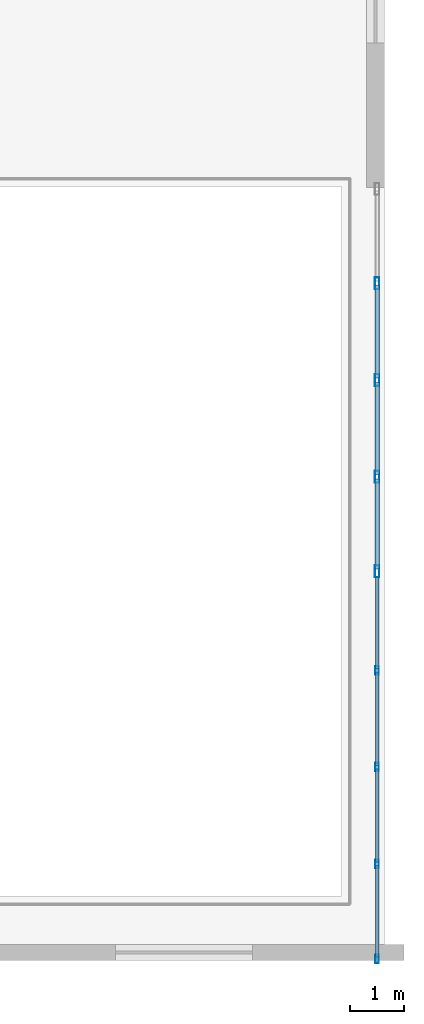
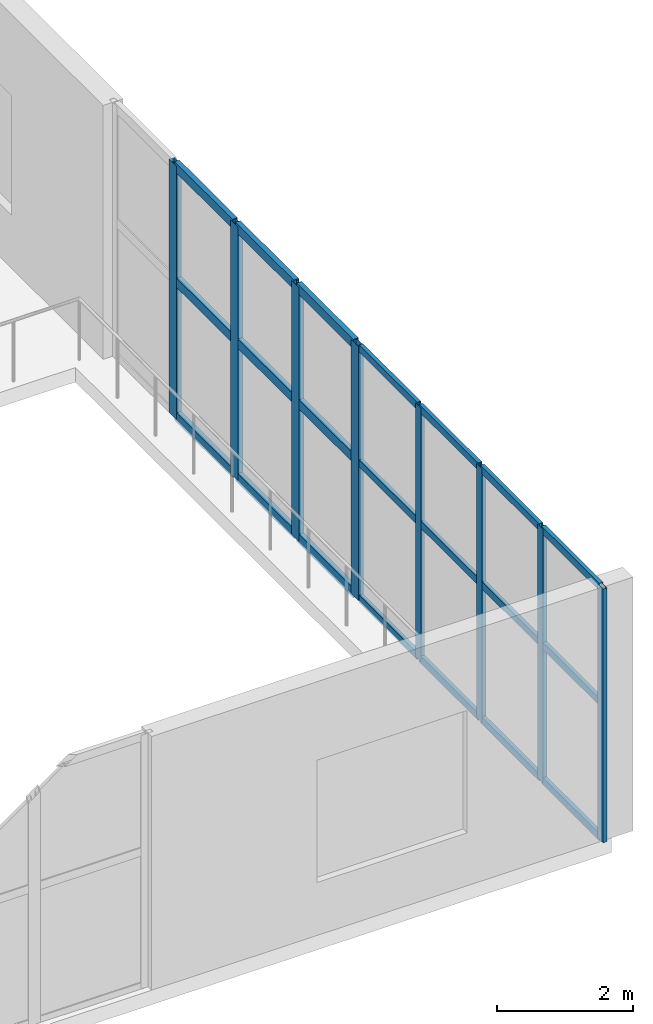
# One storey, part 39 of 72: 29 members, 2 elements without a shape of their own.
"""IFC4 building model written with IfcOpenShell, lengths in metres."""

from ifc_helpers import new_model, si_unit, direction, frame, origin, origin_2d, place, context, subcontext, project, spatial, hollow_rectangle, extrude, material, layer, layer_set, material_profile, profile_set, type_object, element, aggregate, save


model = new_model("IFC4")

# Units and contexts
model_context = context("Model", 3, precision=1e-05, world=origin(), true_north=direction((0.0, 1.0)))
body_context = subcontext(model_context, "Body", "Model", "MODEL_VIEW")
ifc_project = project(units=[si_unit("LENGTHUNIT", "METRE"), si_unit("AREAUNIT", "SQUARE_METRE"), si_unit("VOLUMEUNIT", "CUBIC_METRE"), si_unit("PLANEANGLEUNIT", "RADIAN"), si_unit("MASSUNIT", "GRAM", prefix="KILO")], contexts=[model_context])

# Site, building, storey
site_placement = place(None, origin())
site = spatial("IfcSite", under=ifc_project, at=site_placement, CompositionType="ELEMENT")
building_placement = place(site_placement, origin())
building = spatial("IfcBuilding", under=site, at=building_placement, Name="Xicomal Pleat Aquarium", CompositionType="ELEMENT")
storey_placement = place(building_placement, frame((0.0, 0.0, 10.5)))
storey = spatial("IfcBuildingStorey", under=building, at=storey_placement, Name="L03", CompositionType="ELEMENT", Elevation=10.5)

# Curtain wall, members
ifc_material_1 = material(Name="Bronze anodized aluminium 6063-T6", Category="aluminium")
ifc_layer = layer(ifc_material_1, 0.159912109375)
ifc_layer_set = layer_set([ifc_layer], Name="Bronze anodized aluminium 6063-T6")
curtain_wall_type = type_object("IfcCurtainWallType", Name="CW-SYS-03", PredefinedType="NOTDEFINED", material=ifc_layer_set)
curtain_wall_1_placement = place(storey_placement, origin())
curtain_wall_1 = element("IfcCurtainWall", 1, at=curtain_wall_1_placement, inside=storey, type_object=curtain_wall_type, Name="L03 unitised curtain wall CW-L03-144", PredefinedType="NOTDEFINED")
ifc_material_2 = material(Name="Bronze anodized aluminium 6063-T6", Category="aluminium")
ifc_material_profile_1 = material_profile(ifc_material_2, hollow_rectangle(XDim=0.06494140625, YDim=0.159912109375, WallThickness=0.00390625, at=origin_2d()), Name="ALU MULL 65x160")
ifc_profile_set_1 = profile_set([ifc_material_profile_1], Name="Bronze anodized aluminium 6063-T6")
member_type_1 = type_object("IfcMemberType", Name="CWM-65x160", PredefinedType="MULLION", material=ifc_profile_set_1)
member_1_placement = place(storey_placement, frame((164.860107421875, 6.199951171875, 0.0), z_axis=(0.0, 0.0, 1.0), x_axis=(1.0, 0.0, 0.0)))
member_1 = element("IfcMember", 2, at=member_1_placement, type_object=member_type_1, Name="CW-03 mullion 2", PredefinedType="MULLION", context=body_context, shape_type="SweptSolid", body=[
    extrude(hollow_rectangle(XDim=0.06494140625, YDim=0.159912109375, WallThickness=0.00390625, at=origin_2d()), origin(), (0.0, 0.0, 1.0), 4.56005859375),
])
member_2_placement = place(storey_placement, frame((164.860107421875, 4.39990234375, 0.0), z_axis=(0.0, 0.0, 1.0), x_axis=(1.0, 0.0, 0.0)))
member_2 = element("IfcMember", 3, at=member_2_placement, type_object=member_type_1, Name="CW-03 mullion 3", PredefinedType="MULLION", context=body_context, shape_type="SweptSolid", body=[
    extrude(hollow_rectangle(XDim=0.06494140625, YDim=0.159912109375, WallThickness=0.00390625, at=origin_2d()), origin(), (0.0, 0.0, 1.0), 4.56005859375),
])
member_3_placement = place(storey_placement, frame((164.860107421875, 2.60009765625, 0.0), z_axis=(0.0, 0.0, 1.0), x_axis=(1.0, 0.0, 0.0)))
member_3 = element("IfcMember", 4, at=member_3_placement, type_object=member_type_1, Name="CW-03 mullion 4", PredefinedType="MULLION", context=body_context, shape_type="SweptSolid", body=[
    extrude(hollow_rectangle(XDim=0.06494140625, YDim=0.159912109375, WallThickness=0.00390625, at=origin_2d()), origin(), (0.0, 0.0, 1.0), 4.56005859375),
])
member_4_placement = place(storey_placement, frame((164.860107421875, 0.83251953125, 0.0), z_axis=(0.0, 0.0, 1.0), x_axis=(1.0, 0.0, 0.0)))
member_4 = element("IfcMember", 5, at=member_4_placement, type_object=member_type_1, Name="CW-03 mullion 5", PredefinedType="MULLION", context=body_context, shape_type="SweptSolid", body=[
    extrude(hollow_rectangle(XDim=0.06494140625, YDim=0.159912109375, WallThickness=0.00390625, at=origin_2d()), origin(), (0.0, 0.0, 1.0), 4.56005859375),
])

curtain_wall_2_placement = place(storey_placement, origin())
curtain_wall_2 = element("IfcCurtainWall", 6, at=curtain_wall_2_placement, inside=storey, type_object=curtain_wall_type, Name="L03 unitised curtain wall CW-L03-143", PredefinedType="NOTDEFINED")
ifc_material_3 = material(Name="Bronze anodized aluminium 6063-T6", Category="aluminium")
ifc_material_profile_2 = material_profile(ifc_material_3, hollow_rectangle(XDim=0.0849609375, YDim=0.219970703125, WallThickness=0.0048828125, at=origin_2d()), Name="ALU MULL 85x220")
ifc_profile_set_2 = profile_set([ifc_material_profile_2], Name="Bronze anodized aluminium 6063-T6")
member_type_2 = type_object("IfcMemberType", Name="CWM-85x220", PredefinedType="MULLION", material=ifc_profile_set_2)
member_5_placement = place(storey_placement, frame((164.860107421875, 13.39990234375, 0.0), z_axis=(0.0, 0.0, 1.0), x_axis=(1.0, 0.0, 0.0)))
member_5 = element("IfcMember", 7, at=member_5_placement, type_object=member_type_2, Name="CW-03 mullion 2", PredefinedType="MULLION", context=body_context, shape_type="SweptSolid", body=[
    extrude(hollow_rectangle(XDim=0.0849609375, YDim=0.219970703125, WallThickness=0.0048828125, at=origin_2d()), origin(), (0.0, 0.0, 1.0), 4.56005859375),
])
member_6_placement = place(storey_placement, frame((164.860107421875, 11.60009765625, 0.0), z_axis=(0.0, 0.0, 1.0), x_axis=(1.0, 0.0, 0.0)))
member_6 = element("IfcMember", 8, at=member_6_placement, type_object=member_type_2, Name="CW-03 mullion 3", PredefinedType="MULLION", context=body_context, shape_type="SweptSolid", body=[
    extrude(hollow_rectangle(XDim=0.0849609375, YDim=0.219970703125, WallThickness=0.0048828125, at=origin_2d()), origin(), (0.0, 0.0, 1.0), 4.56005859375),
])
member_7_placement = place(storey_placement, frame((164.860107421875, 9.800048828125, 0.0), z_axis=(0.0, 0.0, 1.0), x_axis=(1.0, 0.0, 0.0)))
member_7 = element("IfcMember", 9, at=member_7_placement, type_object=member_type_2, Name="CW-03 mullion 4", PredefinedType="MULLION", context=body_context, shape_type="SweptSolid", body=[
    extrude(hollow_rectangle(XDim=0.0849609375, YDim=0.219970703125, WallThickness=0.0048828125, at=origin_2d()), origin(), (0.0, 0.0, 1.0), 4.56005859375),
])
member_8_placement = place(storey_placement, frame((164.860107421875, 8.04248046875, 0.0), z_axis=(0.0, 0.0, 1.0), x_axis=(1.0, 0.0, 0.0)))
member_8 = element("IfcMember", 10, at=member_8_placement, type_object=member_type_2, Name="CW-03 mullion 5", PredefinedType="MULLION", context=body_context, shape_type="SweptSolid", body=[
    extrude(hollow_rectangle(XDim=0.0849609375, YDim=0.219970703125, WallThickness=0.0048828125, at=origin_2d()), origin(), (0.0, 0.0, 1.0), 4.56005859375),
])

# Member
ifc_material_4 = material(Name="Bronze anodized aluminium 6063-T6", Category="aluminium")
ifc_material_profile_3 = material_profile(ifc_material_4, hollow_rectangle(XDim=0.06494140625, YDim=0.1298828125, WallThickness=0.00390625, at=origin_2d()), Name="ALU TRAN 65x130")
ifc_profile_set_3 = profile_set([ifc_material_profile_3], Name="Bronze anodized aluminium 6063-T6")
member_type_3 = type_object("IfcMemberType", Name="CWT-65x130", PredefinedType="USERDEFINED", material=ifc_profile_set_3)
member_9_placement = place(storey_placement, frame((164.860107421875, 7.93505859375, 0.032470703125), z_axis=(0.0, -1.0, 0.0), x_axis=(1.0, 0.0, 0.0)))
member_9 = element("IfcMember", 11, at=member_9_placement, type_object=member_type_3, Name="CW-03 transom 1.1", ObjectType="TRANSOM", PredefinedType="USERDEFINED", context=body_context, shape_type="SweptSolid", body=[
    extrude(hollow_rectangle(XDim=0.06494140625, YDim=0.1298828125, WallThickness=0.00390625, at=origin_2d()), origin(), (0.0, 0.0, 1.0), 1.70263671875),
])

member_10_placement = place(storey_placement, frame((164.860107421875, 7.93505859375, 2.4619140625), z_axis=(0.0, -1.0, 0.0), x_axis=(1.0, 0.0, 0.0)))
member_10 = element("IfcMember", 12, at=member_10_placement, type_object=member_type_3, Name="CW-03 transom 1.2", ObjectType="TRANSOM", PredefinedType="USERDEFINED", context=body_context, shape_type="SweptSolid", body=[
    extrude(hollow_rectangle(XDim=0.06494140625, YDim=0.1298828125, WallThickness=0.00390625, at=origin_2d()), origin(), (0.0, 0.0, 1.0), 1.70263671875),
])

member_11_placement = place(storey_placement, frame((164.860107421875, 7.93505859375, 4.527587890625), z_axis=(0.0, -1.0, 0.0), x_axis=(1.0, 0.0, 0.0)))
member_11 = element("IfcMember", 13, at=member_11_placement, type_object=member_type_3, Name="CW-03 transom 1.3", ObjectType="TRANSOM", PredefinedType="USERDEFINED", context=body_context, shape_type="SweptSolid", body=[
    extrude(hollow_rectangle(XDim=0.06494140625, YDim=0.1298828125, WallThickness=0.00390625, at=origin_2d()), origin(), (0.0, 0.0, 1.0), 1.70263671875),
])

member_12_placement = place(storey_placement, frame((164.860107421875, 6.16748046875, 0.032470703125), z_axis=(0.0, -1.0, 0.0), x_axis=(1.0, 0.0, 0.0)))
member_12 = element("IfcMember", 14, at=member_12_placement, type_object=member_type_3, Name="CW-03 transom 2.1", ObjectType="TRANSOM", PredefinedType="USERDEFINED", context=body_context, shape_type="SweptSolid", body=[
    extrude(hollow_rectangle(XDim=0.06494140625, YDim=0.1298828125, WallThickness=0.00390625, at=origin_2d()), origin(), (0.0, 0.0, 1.0), 1.73486328125),
])

member_13_placement = place(storey_placement, frame((164.860107421875, 6.16748046875, 2.4619140625), z_axis=(0.0, -1.0, 0.0), x_axis=(1.0, 0.0, 0.0)))
member_13 = element("IfcMember", 15, at=member_13_placement, type_object=member_type_3, Name="CW-03 transom 2.2", ObjectType="TRANSOM", PredefinedType="USERDEFINED", context=body_context, shape_type="SweptSolid", body=[
    extrude(hollow_rectangle(XDim=0.06494140625, YDim=0.1298828125, WallThickness=0.00390625, at=origin_2d()), origin(), (0.0, 0.0, 1.0), 1.73486328125),
])

member_14_placement = place(storey_placement, frame((164.860107421875, 6.16748046875, 4.527587890625), z_axis=(0.0, -1.0, 0.0), x_axis=(1.0, 0.0, 0.0)))
member_14 = element("IfcMember", 16, at=member_14_placement, type_object=member_type_3, Name="CW-03 transom 2.3", ObjectType="TRANSOM", PredefinedType="USERDEFINED", context=body_context, shape_type="SweptSolid", body=[
    extrude(hollow_rectangle(XDim=0.06494140625, YDim=0.1298828125, WallThickness=0.00390625, at=origin_2d()), origin(), (0.0, 0.0, 1.0), 1.73486328125),
])

member_15_placement = place(storey_placement, frame((164.860107421875, 4.367431640625, 0.032470703125), z_axis=(0.0, -1.0, 0.0), x_axis=(1.0, 0.0, 0.0)))
member_15 = element("IfcMember", 17, at=member_15_placement, type_object=member_type_3, Name="CW-03 transom 3.1", ObjectType="TRANSOM", PredefinedType="USERDEFINED", context=body_context, shape_type="SweptSolid", body=[
    extrude(hollow_rectangle(XDim=0.06494140625, YDim=0.1298828125, WallThickness=0.00390625, at=origin_2d()), origin(), (0.0, 0.0, 1.0), 1.73486328125),
])

member_16_placement = place(storey_placement, frame((164.860107421875, 4.367431640625, 2.4619140625), z_axis=(0.0, -1.0, 0.0), x_axis=(1.0, 0.0, 0.0)))
member_16 = element("IfcMember", 18, at=member_16_placement, type_object=member_type_3, Name="CW-03 transom 3.2", ObjectType="TRANSOM", PredefinedType="USERDEFINED", context=body_context, shape_type="SweptSolid", body=[
    extrude(hollow_rectangle(XDim=0.06494140625, YDim=0.1298828125, WallThickness=0.00390625, at=origin_2d()), origin(), (0.0, 0.0, 1.0), 1.73486328125),
])

member_17_placement = place(storey_placement, frame((164.860107421875, 4.367431640625, 4.527587890625), z_axis=(0.0, -1.0, 0.0), x_axis=(1.0, 0.0, 0.0)))
member_17 = element("IfcMember", 19, at=member_17_placement, type_object=member_type_3, Name="CW-03 transom 3.3", ObjectType="TRANSOM", PredefinedType="USERDEFINED", context=body_context, shape_type="SweptSolid", body=[
    extrude(hollow_rectangle(XDim=0.06494140625, YDim=0.1298828125, WallThickness=0.00390625, at=origin_2d()), origin(), (0.0, 0.0, 1.0), 1.73486328125),
])

member_18_placement = place(storey_placement, frame((164.860107421875, 2.5673828125, 0.032470703125), z_axis=(0.0, -1.0, 0.0), x_axis=(1.0, 0.0, 0.0)))
member_18 = element("IfcMember", 20, at=member_18_placement, type_object=member_type_3, Name="CW-03 transom 4.1", ObjectType="TRANSOM", PredefinedType="USERDEFINED", context=body_context, shape_type="SweptSolid", body=[
    extrude(hollow_rectangle(XDim=0.06494140625, YDim=0.1298828125, WallThickness=0.00390625, at=origin_2d()), origin(), (0.0, 0.0, 1.0), 1.702392578125),
])

member_19_placement = place(storey_placement, frame((164.860107421875, 2.5673828125, 2.4619140625), z_axis=(0.0, -1.0, 0.0), x_axis=(1.0, 0.0, 0.0)))
member_19 = element("IfcMember", 21, at=member_19_placement, type_object=member_type_3, Name="CW-03 transom 4.2", ObjectType="TRANSOM", PredefinedType="USERDEFINED", context=body_context, shape_type="SweptSolid", body=[
    extrude(hollow_rectangle(XDim=0.06494140625, YDim=0.1298828125, WallThickness=0.00390625, at=origin_2d()), origin(), (0.0, 0.0, 1.0), 1.702392578125),
])

member_20_placement = place(storey_placement, frame((164.860107421875, 2.5673828125, 4.527587890625), z_axis=(0.0, -1.0, 0.0), x_axis=(1.0, 0.0, 0.0)))
member_20 = element("IfcMember", 22, at=member_20_placement, type_object=member_type_3, Name="CW-03 transom 4.3", ObjectType="TRANSOM", PredefinedType="USERDEFINED", context=body_context, shape_type="SweptSolid", body=[
    extrude(hollow_rectangle(XDim=0.06494140625, YDim=0.1298828125, WallThickness=0.00390625, at=origin_2d()), origin(), (0.0, 0.0, 1.0), 1.702392578125),
])

aggregate(curtain_wall_1, [member_1, member_2, member_3, member_4, member_9, member_10, member_11, member_12, member_13, member_14, member_15, member_16, member_17, member_18, member_19, member_20])

ifc_material_5 = material(Name="Bronze anodized aluminium 6063-T6", Category="aluminium")
ifc_material_profile_4 = material_profile(ifc_material_5, hollow_rectangle(XDim=0.0849609375, YDim=0.169921875, WallThickness=0.0048828125, at=origin_2d()), Name="ALU TRAN 85x170")
ifc_profile_set_4 = profile_set([ifc_material_profile_4], Name="Bronze anodized aluminium 6063-T6")
member_type_4 = type_object("IfcMemberType", Name="CWT-85x170", PredefinedType="USERDEFINED", material=ifc_profile_set_4)
member_21_placement = place(storey_placement, frame((164.860107421875, 13.357421875, 0.04248046875), z_axis=(0.0, -1.0, 0.0), x_axis=(1.0, 0.0, 0.0)))
member_21 = element("IfcMember", 23, at=member_21_placement, type_object=member_type_4, Name="CW-03 transom 2.1", ObjectType="TRANSOM", PredefinedType="USERDEFINED", context=body_context, shape_type="SweptSolid", body=[
    extrude(hollow_rectangle(XDim=0.0849609375, YDim=0.169921875, WallThickness=0.0048828125, at=origin_2d()), origin(), (0.0, 0.0, 1.0), 1.71484375),
])

member_22_placement = place(storey_placement, frame((164.860107421875, 13.357421875, 2.4619140625), z_axis=(0.0, -1.0, 0.0), x_axis=(1.0, 0.0, 0.0)))
member_22 = element("IfcMember", 24, at=member_22_placement, type_object=member_type_4, Name="CW-03 transom 2.2", ObjectType="TRANSOM", PredefinedType="USERDEFINED", context=body_context, shape_type="SweptSolid", body=[
    extrude(hollow_rectangle(XDim=0.0849609375, YDim=0.169921875, WallThickness=0.0048828125, at=origin_2d()), origin(), (0.0, 0.0, 1.0), 1.71484375),
])

member_23_placement = place(storey_placement, frame((164.860107421875, 13.357421875, 4.517578125), z_axis=(0.0, -1.0, 0.0), x_axis=(1.0, 0.0, 0.0)))
member_23 = element("IfcMember", 25, at=member_23_placement, type_object=member_type_4, Name="CW-03 transom 2.3", ObjectType="TRANSOM", PredefinedType="USERDEFINED", context=body_context, shape_type="SweptSolid", body=[
    extrude(hollow_rectangle(XDim=0.0849609375, YDim=0.169921875, WallThickness=0.0048828125, at=origin_2d()), origin(), (0.0, 0.0, 1.0), 1.71484375),
])

member_24_placement = place(storey_placement, frame((164.860107421875, 11.5576171875, 0.04248046875), z_axis=(0.0, -1.0, 0.0), x_axis=(1.0, 0.0, 0.0)))
member_24 = element("IfcMember", 26, at=member_24_placement, type_object=member_type_4, Name="CW-03 transom 3.1", ObjectType="TRANSOM", PredefinedType="USERDEFINED", context=body_context, shape_type="SweptSolid", body=[
    extrude(hollow_rectangle(XDim=0.0849609375, YDim=0.169921875, WallThickness=0.0048828125, at=origin_2d()), origin(), (0.0, 0.0, 1.0), 1.715087890625),
])

member_25_placement = place(storey_placement, frame((164.860107421875, 11.5576171875, 2.4619140625), z_axis=(0.0, -1.0, 0.0), x_axis=(1.0, 0.0, 0.0)))
member_25 = element("IfcMember", 27, at=member_25_placement, type_object=member_type_4, Name="CW-03 transom 3.2", ObjectType="TRANSOM", PredefinedType="USERDEFINED", context=body_context, shape_type="SweptSolid", body=[
    extrude(hollow_rectangle(XDim=0.0849609375, YDim=0.169921875, WallThickness=0.0048828125, at=origin_2d()), origin(), (0.0, 0.0, 1.0), 1.715087890625),
])

member_26_placement = place(storey_placement, frame((164.860107421875, 11.5576171875, 4.517578125), z_axis=(0.0, -1.0, 0.0), x_axis=(1.0, 0.0, 0.0)))
member_26 = element("IfcMember", 28, at=member_26_placement, type_object=member_type_4, Name="CW-03 transom 3.3", ObjectType="TRANSOM", PredefinedType="USERDEFINED", context=body_context, shape_type="SweptSolid", body=[
    extrude(hollow_rectangle(XDim=0.0849609375, YDim=0.169921875, WallThickness=0.0048828125, at=origin_2d()), origin(), (0.0, 0.0, 1.0), 1.715087890625),
])

member_27_placement = place(storey_placement, frame((164.860107421875, 9.757568359375, 0.04248046875), z_axis=(0.0, -1.0, 0.0), x_axis=(1.0, 0.0, 0.0)))
member_27 = element("IfcMember", 29, at=member_27_placement, type_object=member_type_4, Name="CW-03 transom 4.1", ObjectType="TRANSOM", PredefinedType="USERDEFINED", context=body_context, shape_type="SweptSolid", body=[
    extrude(hollow_rectangle(XDim=0.0849609375, YDim=0.169921875, WallThickness=0.0048828125, at=origin_2d()), origin(), (0.0, 0.0, 1.0), 1.672607421875),
])

member_28_placement = place(storey_placement, frame((164.860107421875, 9.757568359375, 2.4619140625), z_axis=(0.0, -1.0, 0.0), x_axis=(1.0, 0.0, 0.0)))
member_28 = element("IfcMember", 30, at=member_28_placement, type_object=member_type_4, Name="CW-03 transom 4.2", ObjectType="TRANSOM", PredefinedType="USERDEFINED", context=body_context, shape_type="SweptSolid", body=[
    extrude(hollow_rectangle(XDim=0.0849609375, YDim=0.169921875, WallThickness=0.0048828125, at=origin_2d()), origin(), (0.0, 0.0, 1.0), 1.672607421875),
])

member_29_placement = place(storey_placement, frame((164.860107421875, 9.757568359375, 4.517578125), z_axis=(0.0, -1.0, 0.0), x_axis=(1.0, 0.0, 0.0)))
member_29 = element("IfcMember", 31, at=member_29_placement, type_object=member_type_4, Name="CW-03 transom 4.3", ObjectType="TRANSOM", PredefinedType="USERDEFINED", context=body_context, shape_type="SweptSolid", body=[
    extrude(hollow_rectangle(XDim=0.0849609375, YDim=0.169921875, WallThickness=0.0048828125, at=origin_2d()), origin(), (0.0, 0.0, 1.0), 1.672607421875),
])

aggregate(curtain_wall_2, [member_5, member_6, member_7, member_8, member_21, member_22, member_23, member_24, member_25, member_26, member_27, member_28, member_29])

save(model, "model.ifc")
